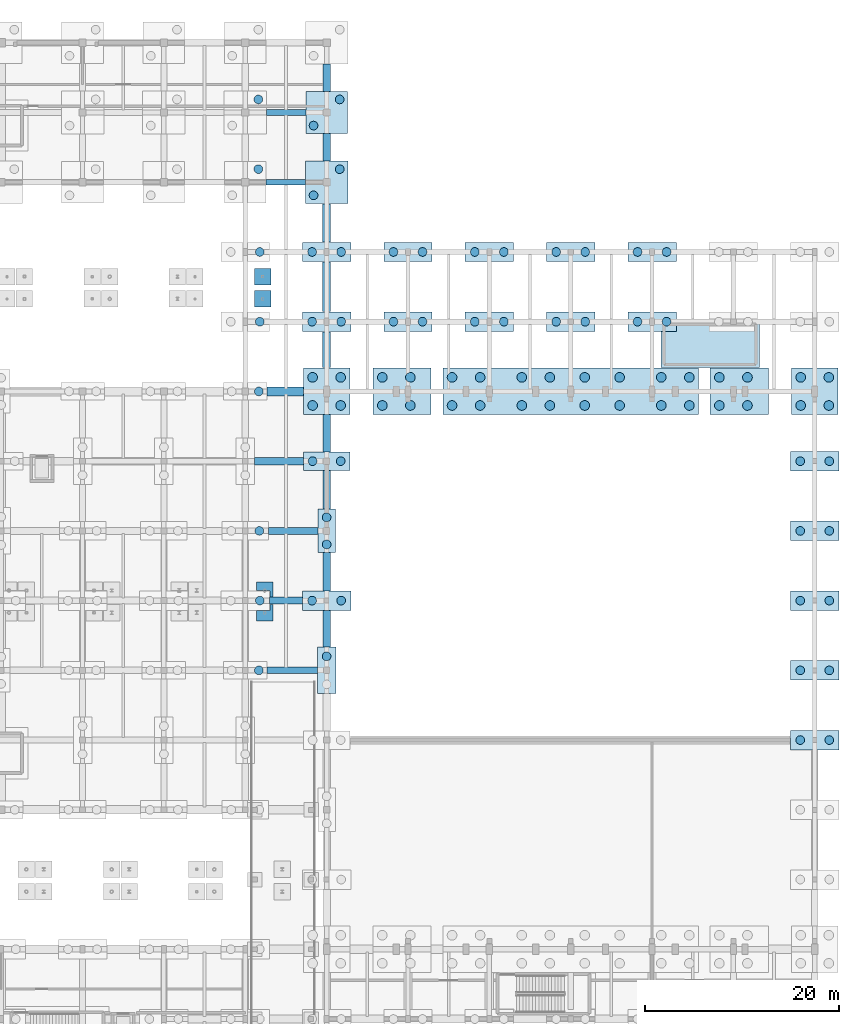
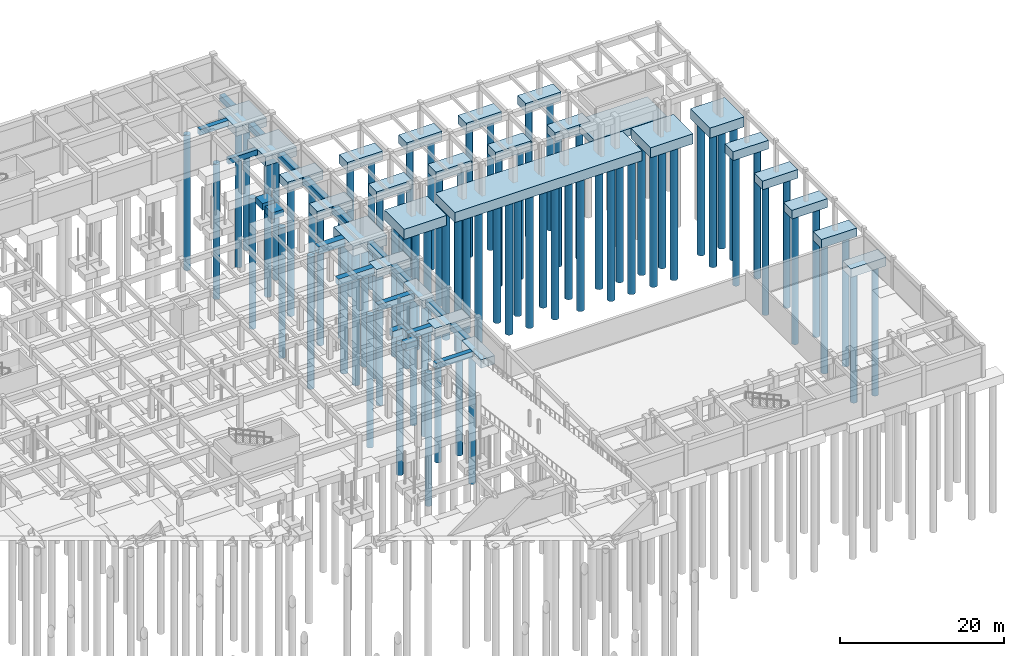
# One storey, part 14 of 80: 81 piles, 47 footings.
"""IFC4 building model written with IfcOpenShell, lengths in metres."""

from ifc_helpers import new_model, si_unit, direction, frame, origin, origin_2d, place, context, subcontext, project, spatial, polyline, rectangle, circle, outline, extrude, material, material_profile, profile_set, type_object, element, save


model = new_model("IFC4")

# Units and contexts
model_context = context("Model", 3, precision=1e-05, world=origin(), true_north=direction((0.0, 1.0)))
body_context = subcontext(model_context, "Body", "Model", "MODEL_VIEW")
ifc_project = project(units=[si_unit("LENGTHUNIT", "METRE"), si_unit("AREAUNIT", "SQUARE_METRE"), si_unit("VOLUMEUNIT", "CUBIC_METRE"), si_unit("PLANEANGLEUNIT", "RADIAN"), si_unit("MASSUNIT", "GRAM", prefix="KILO")], contexts=[model_context])

# Site, building, storey
site_placement = place(None, origin())
site = spatial("IfcSite", under=ifc_project, at=site_placement, CompositionType="ELEMENT")
building_placement = place(site_placement, origin())
building = spatial("IfcBuilding", under=site, at=building_placement, Name="Malvenik Polytechnic", CompositionType="ELEMENT")
storey_placement = place(building_placement, frame((0.0, 0.0, -4.800048828125)))
storey = spatial("IfcBuildingStorey", under=building, at=storey_placement, Name="B1", CompositionType="ELEMENT", Elevation=-4.800048828125)

# Footings
ifc_material = material(Name="Concrete C35/45", Category="concrete")
footing_type_1 = type_object("IfcFootingType", Name="STR-PC-1900x4800x1250", PredefinedType="PILE_CAP", material=ifc_material)
footing_1_placement = place(storey_placement, frame((134.39990234375, 86.39990234375, -1.25), z_axis=(0.0, 0.0, 1.0), x_axis=(1.0, 0.0, 0.0)))
element("IfcFooting", 1, at=footing_1_placement, inside=storey, type_object=footing_type_1, Name="Pile Cap PC-13 #222", PredefinedType="PILE_CAP", context=body_context, shape_type="SweptSolid", body=[
    extrude(rectangle(XDim=4.800048828125, YDim=1.89990234375, at=origin_2d()), origin(), (0.0, 0.0, 1.0), 1.25),
])
footing_type_2 = type_object("IfcFootingType", Name="STR-PC-2000x5000x1300", PredefinedType="PILE_CAP", material=ifc_material)
for number, where, z_axis, x_axis, name in (
    (2, (134.39990234375, 72.0, -1.2998046875), (0.0, 0.0, 1.0), (1.0, 0.0, 0.0), "Pile Cap PC-03 #220"),
    (3, (134.39990234375, 100.800048828125, -1.2998046875), (0.0, 0.0, 1.0), (1.0, 0.0, 0.0), "Pile Cap PC-03 #224"),
    (4, (134.39990234375, 108.0, -1.2998046875), (0.0, 0.0, 1.0), (1.0, 0.0, 0.0), "Pile Cap PC-03 #225"),
    (5, (142.800048828125, 100.800048828125, -1.2998046875), (0.0, 0.0, 1.0), (1.0, 0.0, 0.0), "Pile Cap PC-03 #232"),
    (6, (142.800048828125, 108.0, -1.2998046875), (0.0, 0.0, 1.0), (1.0, 0.0, 0.0), "Pile Cap PC-03 #233"),
    (7, (151.199951171875, 100.800048828125, -1.2998046875), (0.0, 0.0, 1.0), (1.0, 0.0, 0.0), "Pile Cap PC-03 #237"),
    (8, (151.199951171875, 108.0, -1.2998046875), (0.0, 0.0, 1.0), (1.0, 0.0, 0.0), "Pile Cap PC-03 #238"),
    (9, (159.60009765625, 100.800048828125, -1.2998046875), (0.0, 0.0, 1.0), (1.0, 0.0, 0.0), "Pile Cap PC-03 #240"),
    (10, (159.60009765625, 108.0, -1.2998046875), (0.0, 0.0, 1.0), (1.0, 0.0, 0.0), "Pile Cap PC-03 #241"),
    (11, (168.0, 100.800048828125, -1.2998046875), (0.0, 0.0, 1.0), (1.0, 0.0, 0.0), "Pile Cap PC-03 #243"),
    (12, (168.0, 108.0, -1.2998046875), (0.0, 0.0, 1.0), (1.0, 0.0, 0.0), "Pile Cap PC-03 #244"),
    (13, (184.800048828125, 57.60009765625, -1.2998046875), (0.0, 0.0, 1.0), (1.0, 0.0, 0.0), "Pile Cap PC-03 #254"),
    (14, (184.800048828125, 64.800048828125, -1.2998046875), (0.0, 0.0, 1.0), (1.0, 0.0, 0.0), "Pile Cap PC-03 #255"),
    (15, (184.800048828125, 72.0, -1.2998046875), (0.0, 0.0, 1.0), (1.0, 0.0, 0.0), "Pile Cap PC-03 #256"),
    (16, (184.800048828125, 79.199951171875, -1.2998046875), (0.0, 0.0, 1.0), (1.0, 0.0, 0.0), "Pile Cap PC-03 #257"),
    (17, (184.800048828125, 86.39990234375, -1.2998046875), (0.0, 0.0, 1.0), (1.0, 0.0, 0.0), "Pile Cap PC-03 #258"),
):
    element("IfcFooting", number, at=place(storey_placement, frame(where, z_axis=z_axis, x_axis=x_axis)), inside=storey, type_object=footing_type_2, Name=name, PredefinedType="PILE_CAP", context=body_context, shape_type="SweptSolid", body=[
        extrude(rectangle(XDim=5.0, YDim=2.0, at=origin_2d()), origin(), (0.0, 0.0, 1.0), 1.300048828125),
    ])
footing_type_3 = type_object("IfcFootingType", Name="STR-PC-4500x1800x1200", PredefinedType="PILE_CAP", material=ifc_material)
footing_2_placement = place(storey_placement, frame((134.39990234375, 79.199951171875, -1.19970703125), z_axis=(0.0, 0.0, 1.0), x_axis=(1.0, 0.0, 0.0)))
element("IfcFooting", 18, at=footing_2_placement, inside=storey, type_object=footing_type_3, Name="Pile Cap PC-02 #221", PredefinedType="PILE_CAP", context=body_context, shape_type="SweptSolid", body=[
    extrude(rectangle(XDim=1.800048828125, YDim=4.5, at=origin_2d()), origin(), (0.0, 0.0, 1.0), 1.199951171875),
])
footing_type_4 = type_object("IfcFootingType", Name="STR-PC-4800x1900x1250", PredefinedType="PILE_CAP", material=ifc_material)
footing_3_placement = place(storey_placement, frame((134.39990234375, 64.800048828125, -1.25), z_axis=(0.0, 0.0, 1.0), x_axis=(1.0, 0.0, 0.0)))
element("IfcFooting", 19, at=footing_3_placement, inside=storey, type_object=footing_type_4, Name="Pile Cap PC-14 #219", PredefinedType="PILE_CAP", context=body_context, shape_type="SweptSolid", body=[
    extrude(rectangle(XDim=1.89990234375, YDim=4.800048828125, at=origin_2d()), origin(), (0.0, 0.0, 1.0), 1.25),
])
footing_type_5 = type_object("IfcFootingType", Name="STR-PC-4800x4800x1500", PredefinedType="PILE_CAP", material=ifc_material)
for number, where, z_axis, x_axis, name in (
    (20, (134.39990234375, 93.60009765625, -1.5), (0.0, 0.0, 1.0), (1.0, 0.0, 0.0), "Pile Cap PC-06 #223"),
    (21, (184.800048828125, 93.60009765625, -1.5), (0.0, 0.0, 1.0), (1.0, 0.0, 0.0), "Pile Cap PC-06 #259"),
):
    element("IfcFooting", number, at=place(storey_placement, frame(where, z_axis=z_axis, x_axis=x_axis)), inside=storey, type_object=footing_type_5, Name=name, PredefinedType="PILE_CAP", context=body_context, shape_type="SweptSolid", body=[
        extrude(rectangle(XDim=4.800048828125, YDim=4.800048828125, at=origin_2d()), origin(), (0.0, 0.0, 1.0), 1.5),
    ])
footing_type_6 = type_object("IfcFootingType", Name="STR-PC-COMB-51", PredefinedType="PILE_CAP", material=ifc_material)
footing_4_placement = place(storey_placement, frame((134.39990234375, 115.199951171875, -1.35009765625), z_axis=(0.0, 0.0, 1.0), x_axis=(1.0, 0.0, 0.0)))
element("IfcFooting", 22, at=footing_4_placement, inside=storey, type_object=footing_type_6, Name="Pile Cap PCC-51 #226", PredefinedType="PILE_CAP", context=body_context, shape_type="SweptSolid", body=[
    extrude(rectangle(XDim=4.39990234375, YDim=4.39990234375, at=origin_2d()), origin(), (0.0, 0.0, 1.0), 1.35009765625),
])
footing_type_7 = type_object("IfcFootingType", Name="STR-PC-COMB-52", PredefinedType="PILE_CAP", material=ifc_material)
footing_5_placement = place(storey_placement, frame((134.39990234375, 122.39990234375, -1.2998046875), z_axis=(0.0, 0.0, 1.0), x_axis=(1.0, 0.0, 0.0)))
element("IfcFooting", 23, at=footing_5_placement, inside=storey, type_object=footing_type_7, Name="Pile Cap PCC-52 #227", PredefinedType="PILE_CAP", context=body_context, shape_type="SweptSolid", body=[
    extrude(rectangle(XDim=4.300048828125, YDim=4.300048828125, at=origin_2d()), origin(), (0.0, 0.0, 1.0), 1.300048828125),
])
footing_type_8 = type_object("IfcFootingType", Name="STR-PC-COMB-55", PredefinedType="PILE_CAP", material=ifc_material)
footing_6_placement = place(storey_placement, frame((142.199951171875, 93.60009765625, -1.5), z_axis=(0.0, 0.0, 1.0), x_axis=(1.0, 0.0, 0.0)))
element("IfcFooting", 24, at=footing_6_placement, inside=storey, type_object=footing_type_8, Name="Pile Cap PCC-55 #230", PredefinedType="PILE_CAP", context=body_context, shape_type="SweptSolid", body=[
    extrude(rectangle(XDim=6.0, YDim=4.800048828125, at=origin_2d()), origin(), (0.0, 0.0, 1.0), 1.5),
])
footing_type_9 = type_object("IfcFootingType", Name="STR-PC-COMB-57", PredefinedType="PILE_CAP", material=ifc_material)
footing_7_placement = place(storey_placement, frame((159.60009765625, 93.60009765625, -1.5), z_axis=(0.0, 0.0, 1.0), x_axis=(1.0, 0.0, 0.0)))
element("IfcFooting", 25, at=footing_7_placement, inside=storey, type_object=footing_type_9, Name="Pile Cap PCC-57 #235", PredefinedType="PILE_CAP", context=body_context, shape_type="SweptSolid", body=[
    extrude(rectangle(XDim=26.39990234375, YDim=4.800048828125, at=origin_2d()), origin(), (0.0, 0.0, 1.0), 1.5),
])
footing_type_10 = type_object("IfcFootingType", Name="STR-PC-COMB-59", PredefinedType="PILE_CAP", material=ifc_material)
footing_8_placement = place(storey_placement, frame((177.0, 93.60009765625, -1.5), z_axis=(0.0, 0.0, 1.0), x_axis=(1.0, 0.0, 0.0)))
element("IfcFooting", 26, at=footing_8_placement, inside=storey, type_object=footing_type_10, Name="Pile Cap PCC-59 #247", PredefinedType="PILE_CAP", context=body_context, shape_type="SweptSolid", body=[
    extrude(rectangle(XDim=6.0, YDim=4.800048828125, at=origin_2d()), origin(), (0.0, 0.0, 1.0), 1.5),
])

# Piles
ifc_material_profile_1 = material_profile(ifc_material, circle(Radius=0.5, at=origin_2d()), Name="BORED PILE D1000")
ifc_profile_set_1 = profile_set([ifc_material_profile_1], Name="Concrete C35/45")
pile_type_1 = type_object("IfcPileType", Name="STR-PL-D1000-200", PredefinedType="BORED", material=ifc_profile_set_1)
for number, where, z_axis, x_axis, name in (
    (27, (132.949951171875, 92.14990234375, -1.39990234375), (0.0, 0.0, -1.0), (1.0, 0.0, 0.0), "Bored Pile PL-05 #487"),
    (28, (132.949951171875, 95.050048828125, -1.39990234375), (0.0, 0.0, -1.0), (1.0, 0.0, 0.0), "Bored Pile PL-05 #488"),
    (29, (135.85009765625, 92.14990234375, -1.39990234375), (0.0, 0.0, -1.0), (1.0, 0.0, 0.0), "Bored Pile PL-05 #489"),
    (30, (135.85009765625, 95.050048828125, -1.39990234375), (0.0, 0.0, -1.0), (1.0, 0.0, 0.0), "Bored Pile PL-05 #490"),
    (31, (140.14990234375, 92.14990234375, -1.39990234375), (0.0, 0.0, -1.0), (1.0, 0.0, 0.0), "Bored Pile PL-05 #505"),
    (32, (140.14990234375, 95.050048828125, -1.39990234375), (0.0, 0.0, -1.0), (1.0, 0.0, 0.0), "Bored Pile PL-05 #506"),
    (33, (143.050048828125, 92.14990234375, -1.39990234375), (0.0, 0.0, -1.0), (1.0, 0.0, 0.0), "Bored Pile PL-05 #507"),
    (34, (143.050048828125, 95.050048828125, -1.39990234375), (0.0, 0.0, -1.0), (1.0, 0.0, 0.0), "Bored Pile PL-05 #508"),
    (35, (147.35009765625, 92.14990234375, -1.39990234375), (0.0, 0.0, -1.0), (1.0, 0.0, 0.0), "Bored Pile PL-05 #531"),
    (36, (147.35009765625, 95.050048828125, -1.39990234375), (0.0, 0.0, -1.0), (1.0, 0.0, 0.0), "Bored Pile PL-05 #532"),
    (37, (150.25, 92.14990234375, -1.39990234375), (0.0, 0.0, -1.0), (1.0, 0.0, 0.0), "Bored Pile PL-05 #533"),
    (38, (150.25, 95.050048828125, -1.39990234375), (0.0, 0.0, -1.0), (1.0, 0.0, 0.0), "Bored Pile PL-05 #534"),
    (39, (154.550048828125, 92.14990234375, -1.39990234375), (0.0, 0.0, -1.0), (1.0, 0.0, 0.0), "Bored Pile PL-05 #535"),
    (40, (154.550048828125, 95.050048828125, -1.39990234375), (0.0, 0.0, -1.0), (1.0, 0.0, 0.0), "Bored Pile PL-05 #536"),
    (41, (157.449951171875, 92.14990234375, -1.39990234375), (0.0, 0.0, -1.0), (1.0, 0.0, 0.0), "Bored Pile PL-05 #537"),
    (42, (157.449951171875, 95.050048828125, -1.39990234375), (0.0, 0.0, -1.0), (1.0, 0.0, 0.0), "Bored Pile PL-05 #538"),
    (43, (161.050048828125, 92.14990234375, -1.39990234375), (0.0, 0.0, -1.0), (1.0, 0.0, 0.0), "Bored Pile PL-05 #539"),
    (44, (161.050048828125, 95.050048828125, -1.39990234375), (0.0, 0.0, -1.0), (1.0, 0.0, 0.0), "Bored Pile PL-05 #540"),
    (45, (164.64990234375, 92.14990234375, -1.39990234375), (0.0, 0.0, -1.0), (1.0, 0.0, 0.0), "Bored Pile PL-05 #541"),
    (46, (164.64990234375, 95.050048828125, -1.39990234375), (0.0, 0.0, -1.0), (1.0, 0.0, 0.0), "Bored Pile PL-05 #542"),
    (47, (168.949951171875, 92.14990234375, -1.39990234375), (0.0, 0.0, -1.0), (1.0, 0.0, 0.0), "Bored Pile PL-05 #543"),
    (48, (168.949951171875, 95.050048828125, -1.39990234375), (0.0, 0.0, -1.0), (1.0, 0.0, 0.0), "Bored Pile PL-05 #544"),
    (49, (171.85009765625, 92.14990234375, -1.39990234375), (0.0, 0.0, -1.0), (1.0, 0.0, 0.0), "Bored Pile PL-05 #545"),
    (50, (171.85009765625, 95.050048828125, -1.39990234375), (0.0, 0.0, -1.0), (1.0, 0.0, 0.0), "Bored Pile PL-05 #546"),
    (51, (174.949951171875, 92.14990234375, -1.39990234375), (0.0, 0.0, -1.0), (1.0, 0.0, 0.0), "Bored Pile PL-05 #571"),
    (52, (174.949951171875, 95.050048828125, -1.39990234375), (0.0, 0.0, -1.0), (1.0, 0.0, 0.0), "Bored Pile PL-05 #572"),
    (53, (177.85009765625, 92.14990234375, -1.39990234375), (0.0, 0.0, -1.0), (1.0, 0.0, 0.0), "Bored Pile PL-05 #573"),
    (54, (177.85009765625, 95.050048828125, -1.39990234375), (0.0, 0.0, -1.0), (1.0, 0.0, 0.0), "Bored Pile PL-05 #574"),
    (55, (183.35009765625, 92.14990234375, -1.39990234375), (0.0, 0.0, -1.0), (1.0, 0.0, 0.0), "Bored Pile PL-05 #599"),
    (56, (183.35009765625, 95.050048828125, -1.39990234375), (0.0, 0.0, -1.0), (1.0, 0.0, 0.0), "Bored Pile PL-05 #600"),
    (57, (186.25, 92.14990234375, -1.39990234375), (0.0, 0.0, -1.0), (1.0, 0.0, 0.0), "Bored Pile PL-05 #601"),
    (58, (186.25, 95.050048828125, -1.39990234375), (0.0, 0.0, -1.0), (1.0, 0.0, 0.0), "Bored Pile PL-05 #602"),
):
    element("IfcPile", number, at=place(storey_placement, frame(where, z_axis=z_axis, x_axis=x_axis)), inside=storey, type_object=pile_type_1, Name=name, PredefinedType="BORED", context=body_context, shape_type="SweptSolid", body=[
        extrude(circle(Radius=0.5, at=origin_2d()), origin(), (0.0, 0.0, 1.0), 20.0),
    ])
ifc_material_profile_2 = material_profile(ifc_material, circle(Radius=0.449951171875, at=origin_2d()), Name="BORED PILE D900")
ifc_profile_set_2 = profile_set([ifc_material_profile_2], Name="Concrete C35/45")
pile_type_2 = type_object("IfcPileType", Name="STR-PL-D900-195", PredefinedType="BORED", material=ifc_profile_set_2)
for number, where, z_axis, x_axis, name in (
    (59, (127.5, 72.0, -1.199951171875), (0.0, 0.0, -1.0), (1.0, 0.0, 0.0), "Bored Pile PL-01 #442"),
    (60, (127.5, 100.800048828125, -1.199951171875), (0.0, 0.0, -1.0), (1.0, 0.0, 0.0), "Bored Pile PL-01 #450"),
    (61, (127.5, 108.0, -1.199951171875), (0.0, 0.0, -1.0), (1.0, 0.0, 0.0), "Bored Pile PL-01 #452"),
    (62, (132.89990234375, 72.0, -1.199951171875), (0.0, 0.0, -1.0), (1.0, 0.0, 0.0), "Bored Pile PL-01 #481"),
    (63, (135.89990234375, 72.0, -1.199951171875), (0.0, 0.0, -1.0), (1.0, 0.0, 0.0), "Bored Pile PL-01 #482"),
    (64, (132.89990234375, 100.800048828125, -1.199951171875), (0.0, 0.0, -1.0), (1.0, 0.0, 0.0), "Bored Pile PL-01 #491"),
    (65, (135.89990234375, 100.800048828125, -1.199951171875), (0.0, 0.0, -1.0), (1.0, 0.0, 0.0), "Bored Pile PL-01 #492"),
    (66, (132.89990234375, 108.0, -1.199951171875), (0.0, 0.0, -1.0), (1.0, 0.0, 0.0), "Bored Pile PL-01 #493"),
    (67, (135.89990234375, 108.0, -1.199951171875), (0.0, 0.0, -1.0), (1.0, 0.0, 0.0), "Bored Pile PL-01 #494"),
    (68, (141.300048828125, 100.800048828125, -1.199951171875), (0.0, 0.0, -1.0), (1.0, 0.0, 0.0), "Bored Pile PL-01 #511"),
    (69, (144.300048828125, 100.800048828125, -1.199951171875), (0.0, 0.0, -1.0), (1.0, 0.0, 0.0), "Bored Pile PL-01 #512"),
    (70, (141.300048828125, 108.0, -1.199951171875), (0.0, 0.0, -1.0), (1.0, 0.0, 0.0), "Bored Pile PL-01 #513"),
    (71, (144.300048828125, 108.0, -1.199951171875), (0.0, 0.0, -1.0), (1.0, 0.0, 0.0), "Bored Pile PL-01 #514"),
    (72, (149.699951171875, 100.800048828125, -1.199951171875), (0.0, 0.0, -1.0), (1.0, 0.0, 0.0), "Bored Pile PL-01 #549"),
    (73, (152.699951171875, 100.800048828125, -1.199951171875), (0.0, 0.0, -1.0), (1.0, 0.0, 0.0), "Bored Pile PL-01 #550"),
    (74, (149.699951171875, 108.0, -1.199951171875), (0.0, 0.0, -1.0), (1.0, 0.0, 0.0), "Bored Pile PL-01 #551"),
    (75, (152.699951171875, 108.0, -1.199951171875), (0.0, 0.0, -1.0), (1.0, 0.0, 0.0), "Bored Pile PL-01 #552"),
    (76, (158.10009765625, 100.800048828125, -1.199951171875), (0.0, 0.0, -1.0), (1.0, 0.0, 0.0), "Bored Pile PL-01 #555"),
    (77, (161.10009765625, 100.800048828125, -1.199951171875), (0.0, 0.0, -1.0), (1.0, 0.0, 0.0), "Bored Pile PL-01 #556"),
    (78, (158.10009765625, 108.0, -1.199951171875), (0.0, 0.0, -1.0), (1.0, 0.0, 0.0), "Bored Pile PL-01 #557"),
    (79, (161.10009765625, 108.0, -1.199951171875), (0.0, 0.0, -1.0), (1.0, 0.0, 0.0), "Bored Pile PL-01 #558"),
    (80, (166.5, 100.800048828125, -1.199951171875), (0.0, 0.0, -1.0), (1.0, 0.0, 0.0), "Bored Pile PL-01 #561"),
    (81, (169.5, 100.800048828125, -1.199951171875), (0.0, 0.0, -1.0), (1.0, 0.0, 0.0), "Bored Pile PL-01 #562"),
    (82, (166.5, 108.0, -1.199951171875), (0.0, 0.0, -1.0), (1.0, 0.0, 0.0), "Bored Pile PL-01 #563"),
    (83, (169.5, 108.0, -1.199951171875), (0.0, 0.0, -1.0), (1.0, 0.0, 0.0), "Bored Pile PL-01 #564"),
    (84, (183.300048828125, 57.60009765625, -1.199951171875), (0.0, 0.0, -1.0), (1.0, 0.0, 0.0), "Bored Pile PL-01 #589"),
    (85, (186.300048828125, 57.60009765625, -1.199951171875), (0.0, 0.0, -1.0), (1.0, 0.0, 0.0), "Bored Pile PL-01 #590"),
    (86, (183.300048828125, 64.800048828125, -1.199951171875), (0.0, 0.0, -1.0), (1.0, 0.0, 0.0), "Bored Pile PL-01 #591"),
    (87, (186.300048828125, 64.800048828125, -1.199951171875), (0.0, 0.0, -1.0), (1.0, 0.0, 0.0), "Bored Pile PL-01 #592"),
    (88, (183.300048828125, 72.0, -1.199951171875), (0.0, 0.0, -1.0), (1.0, 0.0, 0.0), "Bored Pile PL-01 #593"),
    (89, (186.300048828125, 72.0, -1.199951171875), (0.0, 0.0, -1.0), (1.0, 0.0, 0.0), "Bored Pile PL-01 #594"),
    (90, (183.300048828125, 79.199951171875, -1.199951171875), (0.0, 0.0, -1.0), (1.0, 0.0, 0.0), "Bored Pile PL-01 #595"),
    (91, (186.300048828125, 79.199951171875, -1.199951171875), (0.0, 0.0, -1.0), (1.0, 0.0, 0.0), "Bored Pile PL-01 #596"),
    (92, (183.300048828125, 86.39990234375, -1.199951171875), (0.0, 0.0, -1.0), (1.0, 0.0, 0.0), "Bored Pile PL-01 #597"),
    (93, (186.300048828125, 86.39990234375, -1.199951171875), (0.0, 0.0, -1.0), (1.0, 0.0, 0.0), "Bored Pile PL-01 #598"),
):
    element("IfcPile", number, at=place(storey_placement, frame(where, z_axis=z_axis, x_axis=x_axis)), inside=storey, type_object=pile_type_2, Name=name, PredefinedType="BORED", context=body_context, shape_type="SweptSolid", body=[
        extrude(circle(Radius=0.449951171875, at=origin_2d()), origin(), (0.0, 0.0, 1.0), 19.5),
    ])
ifc_material_profile_3 = material_profile(ifc_material, circle(Radius=0.449951171875, at=origin_2d()), Name="BORED PILE D900")
ifc_profile_set_3 = profile_set([ifc_material_profile_3], Name="Concrete C35/45")
pile_type_3 = type_object("IfcPileType", Name="STR-PL-D900-198", PredefinedType="BORED", material=ifc_profile_set_3)
for number, where, z_axis, x_axis, name in (
    (94, (127.39990234375, 64.800048828125, -1.099853515625), (0.0, 0.0, -1.0), (1.0, 0.0, 0.0), "Bored Pile PL-02 #440"),
    (95, (127.449951171875, 79.199951171875, -1.14990234375), (0.0, 0.0, -1.0), (1.0, 0.0, 0.0), "Bored Pile PL-02 #444"),
    (96, (127.39990234375, 93.60009765625, -1.099853515625), (0.0, 0.0, -1.0), (1.0, 0.0, 0.0), "Bored Pile PL-02 #448"),
    (97, (134.39990234375, 66.25, -1.14990234375), (0.0, 0.0, -1.0), (1.0, 0.0, 0.0), "Bored Pile PL-02 #480"),
    (98, (134.39990234375, 77.800048828125, -1.099853515625), (0.0, 0.0, -1.0), (1.0, 0.0, 0.0), "Bored Pile PL-02 #483"),
    (99, (134.39990234375, 80.60009765625, -1.099853515625), (0.0, 0.0, -1.0), (1.0, 0.0, 0.0), "Bored Pile PL-02 #484"),
    (100, (132.949951171875, 86.39990234375, -1.14990234375), (0.0, 0.0, -1.0), (1.0, 0.0, 0.0), "Bored Pile PL-02 #485"),
    (101, (135.85009765625, 86.39990234375, -1.14990234375), (0.0, 0.0, -1.0), (1.0, 0.0, 0.0), "Bored Pile PL-02 #486"),
):
    element("IfcPile", number, at=place(storey_placement, frame(where, z_axis=z_axis, x_axis=x_axis)), inside=storey, type_object=pile_type_3, Name=name, PredefinedType="BORED", context=body_context, shape_type="SweptSolid", body=[
        extrude(circle(Radius=0.449951171875, at=origin_2d()), origin(), (0.0, 0.0, 1.0), 19.800048828125),
    ])
ifc_material_profile_4 = material_profile(ifc_material, circle(Radius=0.449951171875, at=origin_2d()), Name="BORED PILE D900")
ifc_profile_set_4 = profile_set([ifc_material_profile_4], Name="Concrete C35/45")
pile_type_4 = type_object("IfcPileType", Name="STR-PL-D900-202", PredefinedType="BORED", material=ifc_profile_set_4)
for number, where, z_axis, x_axis, name in (
    (102, (127.35009765625, 116.550048828125, -1.199951171875), (0.0, 0.0, -1.0), (1.0, 0.0, 0.0), "Bored Pile PL-03 #454"),
    (103, (127.35009765625, 123.75, -1.25), (0.0, 0.0, -1.0), (1.0, 0.0, 0.0), "Bored Pile PL-03 #456"),
    (104, (133.050048828125, 113.85009765625, -1.25), (0.0, 0.0, -1.0), (1.0, 0.0, 0.0), "Bored Pile PL-03 #495"),
    (105, (135.75, 116.550048828125, -1.25), (0.0, 0.0, -1.0), (1.0, 0.0, 0.0), "Bored Pile PL-03 #496"),
    (106, (133.050048828125, 121.050048828125, -1.199951171875), (0.0, 0.0, -1.0), (1.0, 0.0, 0.0), "Bored Pile PL-03 #497"),
    (107, (135.75, 123.75, -1.199951171875), (0.0, 0.0, -1.0), (1.0, 0.0, 0.0), "Bored Pile PL-03 #498"),
):
    element("IfcPile", number, at=place(storey_placement, frame(where, z_axis=z_axis, x_axis=x_axis)), inside=storey, type_object=pile_type_4, Name=name, PredefinedType="BORED", context=body_context, shape_type="SweptSolid", body=[
        extrude(circle(Radius=0.449951171875, at=origin_2d()), origin(), (0.0, 0.0, 1.0), 20.199951171875),
    ])

# Footings
footing_type_11 = type_object("IfcFootingType", Name="STR-SF-600x800", PredefinedType="STRIP_FOOTING", material=ifc_material)
footing_9_placement = place(storey_placement, frame((0.0, 0.0, -0.800048828125)))
element("IfcFooting", 108, at=footing_9_placement, inside=storey, type_object=footing_type_11, Name="Ground Tie Beam SF-01 #144", PredefinedType="STRIP_FOOTING", context=body_context, shape_type="SweptSolid", body=[
    extrude(outline(polyline([(128.14990234375, 114.89990234375), (132.199951171875, 114.89990234375), (132.199951171875, 115.5), (128.14990234375, 115.5), (128.14990234375, 114.89990234375)])), origin(), (0.0, 0.0, 1.0), 0.800048828125),
])
footing_type_12 = type_object("IfcFootingType", Name="STR-SF-650x850", PredefinedType="STRIP_FOOTING", material=ifc_material)
footing_10_placement = place(storey_placement, frame((0.0, 0.0, -0.849853515625)))
element("IfcFooting", 109, at=footing_10_placement, inside=storey, type_object=footing_type_12, Name="Ground Tie Beam SF-02 #81", PredefinedType="STRIP_FOOTING", context=body_context, shape_type="SweptSolid", body=[
    extrude(outline(polyline([(128.25, 64.47509765625), (133.449951171875, 64.47509765625), (133.449951171875, 65.125), (128.25, 65.125), (128.25, 64.47509765625)])), origin(), (0.0, 0.0, 1.0), 0.849853515625),
])
footing_11_placement = place(storey_placement, frame((0.0, 0.0, -0.849853515625)))
element("IfcFooting", 110, at=footing_11_placement, inside=storey, type_object=footing_type_12, Name="Ground Tie Beam SF-02 #157", PredefinedType="STRIP_FOOTING", context=body_context, shape_type="SweptSolid", body=[
    extrude(outline(polyline([(128.199951171875, 122.074951171875), (132.25, 122.074951171875), (132.25, 122.72509765625), (128.199951171875, 122.72509765625), (128.199951171875, 122.074951171875)])), origin(), (0.0, 0.0, 1.0), 0.849853515625),
])
footing_type_13 = type_object("IfcFootingType", Name="STR-SF-700x900", PredefinedType="STRIP_FOOTING", material=ifc_material)
footing_12_placement = place(storey_placement, frame((0.0, 0.0, -0.89990234375)))
element("IfcFooting", 111, at=footing_12_placement, inside=storey, type_object=footing_type_13, Name="Ground Tie Beam SF-03 #93", PredefinedType="STRIP_FOOTING", context=body_context, shape_type="SweptSolid", body=[
    extrude(outline(polyline([(128.5, 71.64990234375), (131.89990234375, 71.64990234375), (131.89990234375, 72.35009765625), (128.5, 72.35009765625), (128.5, 71.64990234375)])), origin(), (0.0, 0.0, 1.0), 0.89990234375),
])
footing_type_14 = type_object("IfcFootingType", Name="STR-SF-750x950", PredefinedType="STRIP_FOOTING", material=ifc_material)
footing_13_placement = place(storey_placement, frame((0.0, 0.0, -0.949951171875)))
element("IfcFooting", 112, at=footing_13_placement, inside=storey, type_object=footing_type_14, Name="Ground Tie Beam SF-04 #105", PredefinedType="STRIP_FOOTING", context=body_context, shape_type="SweptSolid", body=[
    extrude(outline(polyline([(128.39990234375, 78.824951171875), (133.5, 78.824951171875), (133.5, 79.574951171875), (128.39990234375, 79.574951171875), (128.39990234375, 78.824951171875)])), origin(), (0.0, 0.0, 1.0), 0.949951171875),
])
footing_14_placement = place(storey_placement, frame((0.0, 0.0, -0.949951171875)))
element("IfcFooting", 113, at=footing_14_placement, inside=storey, type_object=footing_type_14, Name="Ground Tie Beam SF-04 #308", PredefinedType="STRIP_FOOTING", context=body_context, shape_type="SweptSolid", body=[
    extrude(outline(polyline([(134.02490234375, 67.199951171875), (134.77490234375, 67.199951171875), (134.77490234375, 71.0), (134.02490234375, 71.0), (134.02490234375, 67.199951171875)])), origin(), (0.0, 0.0, 1.0), 0.949951171875),
])
footing_15_placement = place(storey_placement, frame((0.0, 0.0, -0.949951171875)))
element("IfcFooting", 114, at=footing_15_placement, inside=storey, type_object=footing_type_14, Name="Ground Tie Beam SF-04 #309", PredefinedType="STRIP_FOOTING", context=body_context, shape_type="SweptSolid", body=[
    extrude(outline(polyline([(134.02490234375, 73.0), (134.77490234375, 73.0), (134.77490234375, 76.949951171875), (134.02490234375, 76.949951171875), (134.02490234375, 73.0)])), origin(), (0.0, 0.0, 1.0), 0.949951171875),
])
footing_16_placement = place(storey_placement, frame((0.0, 0.0, -0.949951171875)))
element("IfcFooting", 115, at=footing_16_placement, inside=storey, type_object=footing_type_14, Name="Ground Tie Beam SF-04 #310", PredefinedType="STRIP_FOOTING", context=body_context, shape_type="SweptSolid", body=[
    extrude(outline(polyline([(134.02490234375, 81.449951171875), (134.77490234375, 81.449951171875), (134.77490234375, 85.449951171875), (134.02490234375, 85.449951171875), (134.02490234375, 81.449951171875)])), origin(), (0.0, 0.0, 1.0), 0.949951171875),
])
footing_17_placement = place(storey_placement, frame((0.0, 0.0, -0.949951171875)))
element("IfcFooting", 116, at=footing_17_placement, inside=storey, type_object=footing_type_14, Name="Ground Tie Beam SF-04 #311", PredefinedType="STRIP_FOOTING", context=body_context, shape_type="SweptSolid", body=[
    extrude(outline(polyline([(134.02490234375, 87.35009765625), (134.77490234375, 87.35009765625), (134.77490234375, 91.199951171875), (134.02490234375, 91.199951171875), (134.02490234375, 87.35009765625)])), origin(), (0.0, 0.0, 1.0), 0.949951171875),
])
footing_18_placement = place(storey_placement, frame((0.0, 0.0, -0.949951171875)))
element("IfcFooting", 117, at=footing_18_placement, inside=storey, type_object=footing_type_14, Name="Ground Tie Beam SF-04 #312", PredefinedType="STRIP_FOOTING", context=body_context, shape_type="SweptSolid", body=[
    extrude(outline(polyline([(134.02490234375, 117.39990234375), (134.77490234375, 117.39990234375), (134.77490234375, 120.25), (134.02490234375, 120.25), (134.02490234375, 117.39990234375)])), origin(), (0.0, 0.0, 1.0), 0.949951171875),
])
footing_19_placement = place(storey_placement, frame((0.0, 0.0, -0.949951171875)))
element("IfcFooting", 118, at=footing_19_placement, inside=storey, type_object=footing_type_14, Name="Ground Tie Beam SF-04 #313", PredefinedType="STRIP_FOOTING", context=body_context, shape_type="SweptSolid", body=[
    extrude(outline(polyline([(134.02490234375, 124.550048828125), (134.77490234375, 124.550048828125), (134.77490234375, 127.39990234375), (134.02490234375, 127.39990234375), (134.02490234375, 124.550048828125)])), origin(), (0.0, 0.0, 1.0), 0.949951171875),
])
footing_type_15 = type_object("IfcFootingType", Name="STR-SF-800x1000", PredefinedType="STRIP_FOOTING", material=ifc_material)
footing_20_placement = place(storey_placement, frame((0.0, 0.0, -1.0)))
element("IfcFooting", 119, at=footing_20_placement, inside=storey, type_object=footing_type_15, Name="Ground Tie Beam SF-05 #116", PredefinedType="STRIP_FOOTING", context=body_context, shape_type="SweptSolid", body=[
    extrude(outline(polyline([(126.949951171875, 86.0), (132.0, 86.0), (132.0, 86.800048828125), (126.949951171875, 86.800048828125), (126.949951171875, 86.0)])), origin(), (0.0, 0.0, 1.0), 1.0),
])
footing_21_placement = place(storey_placement, frame((0.0, 0.0, -1.0)))
element("IfcFooting", 120, at=footing_21_placement, inside=storey, type_object=footing_type_15, Name="Retaining Wall Strip Footing #332", PredefinedType="STRIP_FOOTING", context=body_context, shape_type="SweptSolid", body=[
    extrude(outline(polyline([(134.820068359375, 96.050048828125), (133.97998046875, 96.050048828125), (133.97998046875, 99.75), (134.820068359375, 99.75), (134.820068359375, 96.050048828125)])), origin(), (0.0, 0.0, 1.0), 1.0),
])
footing_22_placement = place(storey_placement, frame((0.0, 0.0, -1.0)))
element("IfcFooting", 121, at=footing_22_placement, inside=storey, type_object=footing_type_15, Name="Retaining Wall Strip Footing #333", PredefinedType="STRIP_FOOTING", context=body_context, shape_type="SweptSolid", body=[
    extrude(outline(polyline([(134.820068359375, 101.85009765625), (133.97998046875, 101.85009765625), (133.97998046875, 106.949951171875), (134.820068359375, 106.949951171875), (134.820068359375, 101.85009765625)])), origin(), (0.0, 0.0, 1.0), 1.0),
])
footing_23_placement = place(storey_placement, frame((0.0, 0.0, -1.0)))
element("IfcFooting", 122, at=footing_23_placement, inside=storey, type_object=footing_type_15, Name="Retaining Wall Strip Footing #334", PredefinedType="STRIP_FOOTING", context=body_context, shape_type="SweptSolid", body=[
    extrude(outline(polyline([(134.820068359375, 109.050048828125), (133.97998046875, 109.050048828125), (133.97998046875, 112.949951171875), (134.820068359375, 112.949951171875), (134.820068359375, 109.050048828125)])), origin(), (0.0, 0.0, 1.0), 1.0),
])
footing_24_placement = place(storey_placement, frame((0.0, 0.0, -1.0)))
element("IfcFooting", 123, at=footing_24_placement, inside=storey, type_object=footing_type_15, Name="Bridge-Ramp Pier Footing #49.1", PredefinedType="STRIP_FOOTING", context=body_context, shape_type="SweptSolid", body=[
    extrude(outline(polyline([(128.85009765625, 71.60009765625), (128.85009765625, 69.89990234375), (127.14990234375, 69.89990234375), (127.14990234375, 70.969970703125), (128.5, 70.969970703125), (128.5029296875, 70.97021484375), (128.505859375, 70.970703125), (128.5087890625, 70.97119140625), (128.511474609375, 70.972412109375), (128.51416015625, 70.973388671875), (128.5166015625, 70.97509765625), (128.51904296875, 70.976806640625), (128.521240234375, 70.978759765625), (128.523193359375, 70.98095703125), (128.52490234375, 70.9833984375), (128.526611328125, 70.98583984375), (128.527587890625, 70.988525390625), (128.52880859375, 70.9912109375), (128.529296875, 70.994140625), (128.52978515625, 70.9970703125), (128.530029296875, 71.0), (128.530029296875, 71.60009765625), (128.85009765625, 71.60009765625)])), origin(), (0.0, 0.0, 1.0), 1.0),
])
footing_25_placement = place(storey_placement, frame((0.0, 0.0, -1.0)))
element("IfcFooting", 124, at=footing_25_placement, inside=storey, type_object=footing_type_15, Name="Bridge-Ramp Pier Footing #50.1", PredefinedType="STRIP_FOOTING", context=body_context, shape_type="SweptSolid", body=[
    extrude(outline(polyline([(127.14990234375, 73.89990234375), (128.85009765625, 73.89990234375), (128.85009765625, 72.3798828125), (128.530029296875, 72.3798828125), (128.530029296875, 73.0), (128.52978515625, 73.0029296875), (128.529296875, 73.005859375), (128.52880859375, 73.0087890625), (128.527587890625, 73.011474609375), (128.526611328125, 73.01416015625), (128.52490234375, 73.0166015625), (128.523193359375, 73.01904296875), (128.521240234375, 73.021240234375), (128.51904296875, 73.023193359375), (128.5166015625, 73.02490234375), (128.51416015625, 73.026611328125), (128.511474609375, 73.027587890625), (128.5087890625, 73.02880859375), (128.505859375, 73.029296875), (128.5029296875, 73.02978515625), (128.5, 73.030029296875), (127.14990234375, 73.030029296875), (127.14990234375, 73.89990234375)])), origin(), (0.0, 0.0, 1.0), 1.0),
])
footing_26_placement = place(storey_placement, frame((0.0, 0.0, -1.0)))
element("IfcFooting", 125, at=footing_26_placement, inside=storey, type_object=footing_type_15, Name="Bridge-Ramp Pier Footing #143.1", PredefinedType="STRIP_FOOTING", context=body_context, shape_type="SweptSolid", body=[
    extrude(outline(polyline([(126.949951171875, 102.300048828125), (126.949951171875, 104.0), (128.64990234375, 104.0), (128.64990234375, 102.300048828125), (126.949951171875, 102.300048828125)])), origin(), (0.0, 0.0, 1.0), 1.0),
])
footing_27_placement = place(storey_placement, frame((0.0, 0.0, -1.0)))
element("IfcFooting", 126, at=footing_27_placement, inside=storey, type_object=footing_type_15, Name="Bridge-Ramp Pier Footing #144.1", PredefinedType="STRIP_FOOTING", context=body_context, shape_type="SweptSolid", body=[
    extrude(outline(polyline([(126.949951171875, 104.60009765625), (126.949951171875, 106.300048828125), (128.64990234375, 106.300048828125), (128.64990234375, 104.60009765625), (126.949951171875, 104.60009765625)])), origin(), (0.0, 0.0, 1.0), 1.0),
])
footing_type_16 = type_object("IfcFootingType", Name="STR-SF-900x1100", PredefinedType="STRIP_FOOTING", material=ifc_material)
footing_28_placement = place(storey_placement, frame((0.0, 0.0, -1.099853515625)))
element("IfcFooting", 127, at=footing_28_placement, inside=storey, type_object=footing_type_16, Name="Ground Tie Beam SF-06 #128", PredefinedType="STRIP_FOOTING", context=body_context, shape_type="SweptSolid", body=[
    extrude(outline(polyline([(128.25, 93.14990234375), (132.0, 93.14990234375), (132.0, 94.050048828125), (128.25, 94.050048828125), (128.25, 93.14990234375)])), origin(), (0.0, 0.0, 1.0), 1.099853515625),
])
footing_29_placement = place(storey_placement, frame((0.0, 0.0, -1.099853515625)))
element("IfcFooting", 128, at=footing_29_placement, inside=storey, type_object=footing_type_16, Name="Core Wall Strip Footing ST-12", PredefinedType="STRIP_FOOTING", context=body_context, shape_type="SweptSolid", body=[
    extrude(outline(polyline([(168.89990234375, 96.050048828125), (179.10009765625, 96.050048828125), (179.10009765625, 100.85009765625), (168.89990234375, 100.85009765625), (168.89990234375, 96.050048828125)])), origin(), (0.0, 0.0, 1.0), 1.099853515625),
])

save(model, "model.ifc")
